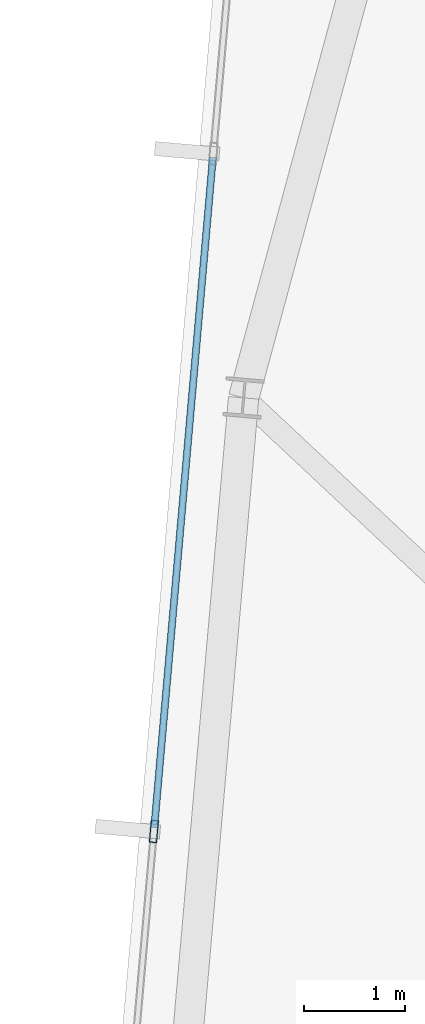
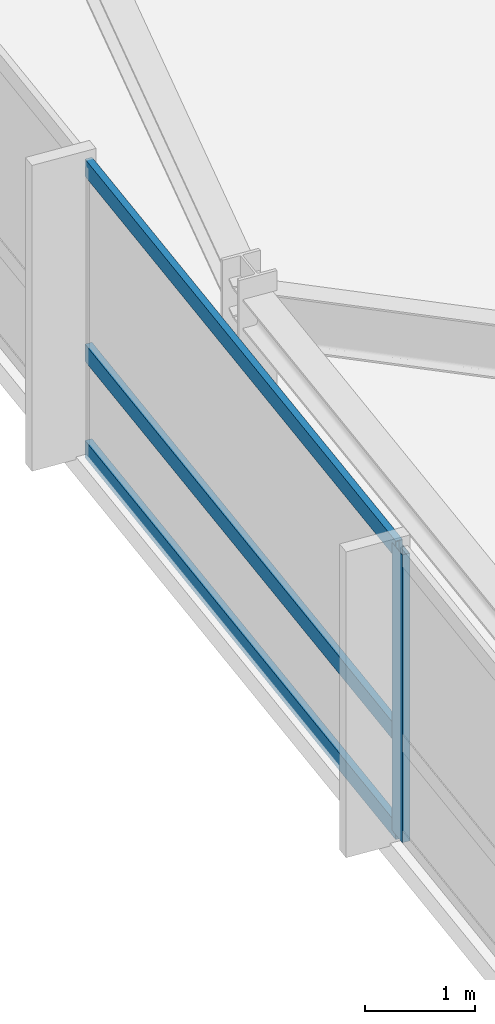
# One storey, part 6 of 24: 4 members, 1 element without a shape of its own.
"""IFC4 building model written with IfcOpenShell, lengths in metres."""

from ifc_helpers import new_model, si_unit, direction, frame, origin, origin_2d, place, context, subcontext, project, spatial, hollow_rectangle, extrude, material, material_profile, profile_set, type_object, element, aggregate, save


model = new_model("IFC4")

# Units and contexts
model_context = context("Model", 3, precision=1e-05, world=origin(), true_north=direction((0.0, 1.0)))
body_context = subcontext(model_context, "Body", "Model", "MODEL_VIEW")
ifc_project = project(units=[si_unit("LENGTHUNIT", "METRE"), si_unit("AREAUNIT", "SQUARE_METRE"), si_unit("VOLUMEUNIT", "CUBIC_METRE"), si_unit("PLANEANGLEUNIT", "RADIAN"), si_unit("MASSUNIT", "GRAM", prefix="KILO")], contexts=[model_context])

# Site, building, storey
site_placement = place(None, origin())
site = spatial("IfcSite", under=ifc_project, at=site_placement, CompositionType="ELEMENT")
building_placement = place(site_placement, origin())
building = spatial("IfcBuilding", under=site, at=building_placement, Name="Yelkora Congress Tower", CompositionType="ELEMENT")
storey_placement = place(building_placement, frame((0.0, 0.0, 296.5)))
storey = spatial("IfcBuildingStorey", under=building, at=storey_placement, Name="L83", CompositionType="ELEMENT", Elevation=296.5)

# Curtain wall, members
ifc_material_1 = material(Name="Anodised aluminium and insulated glass", Category="aluminium")
curtain_wall_type = type_object("IfcCurtainWallType", Name="CW-SYS-SKY", PredefinedType="NOTDEFINED", material=ifc_material_1)
curtain_wall_placement = place(storey_placement, origin())
curtain_wall = element("IfcCurtainWall", 1, at=curtain_wall_placement, inside=storey, type_object=curtain_wall_type, Name="L83 Unitised Curtain Wall 5", PredefinedType="NOTDEFINED")
ifc_material_2 = material(Name="Anodised aluminium 6063-T6", Category="aluminium")
ifc_material_profile_1 = material_profile(ifc_material_2, hollow_rectangle(XDim=0.074951171875, YDim=0.219970703125, WallThickness=0.0048828125, at=origin_2d()), Name="ALU 75x220x5")
ifc_profile_set_1 = profile_set([ifc_material_profile_1], Name="Anodised aluminium 6063-T6")
member_type_1 = type_object("IfcMemberType", Name="MEM-ML-SKY", PredefinedType="MULLION", material=ifc_profile_set_1)
member_1_placement = place(storey_placement, frame((6.900146484375, 35.200927734375, 0.0), z_axis=(0.0, 0.0, 1.0), x_axis=(-0.996194785929, 0.08715473876, 0.0)))
member_1 = element("IfcMember", 2, at=member_1_placement, type_object=member_type_1, Name="CW-SKY mullion 3", PredefinedType="MULLION", context=body_context, shape_type="SweptSolid", body=[
    extrude(hollow_rectangle(XDim=0.074951171875, YDim=0.219970703125, WallThickness=0.0048828125, at=origin_2d()), origin(), (0.0, 0.0, 1.0), 3.179931640625),
])
ifc_material_profile_2 = material_profile(ifc_material_2, hollow_rectangle(XDim=0.070068359375, YDim=0.18994140625, WallThickness=0.00390625, at=origin_2d()), Name="ALU 70x190x4")
ifc_profile_set_2 = profile_set([ifc_material_profile_2], Name="Anodised aluminium 6063-T6")
member_type_2 = type_object("IfcMemberType", Name="MEM-TR-SKY", PredefinedType="USERDEFINED", material=ifc_profile_set_2)
member_2_placement = place(storey_placement, frame((6.903564453125, 35.23828125, 0.034912109375), z_axis=(0.087128267941, 0.996197101444, 0.0), x_axis=(-0.996197101444, 0.087128267941, 0.0)))
member_2 = element("IfcMember", 3, at=member_2_placement, type_object=member_type_2, Name="CW-SKY transom 3.1", ObjectType="TRANSOM", PredefinedType="USERDEFINED", context=body_context, shape_type="SweptSolid", body=[
    extrude(hollow_rectangle(XDim=0.070068359375, YDim=0.18994140625, WallThickness=0.00390625, at=origin_2d()), origin(), (0.0, 0.0, 1.0), 6.655029296875),
])
member_3_placement = place(storey_placement, frame((6.903564453125, 35.23828125, 1.10009765625), z_axis=(0.087128267941, 0.996197101444, 0.0), x_axis=(-0.996197101444, 0.087128267941, 0.0)))
member_3 = element("IfcMember", 4, at=member_3_placement, type_object=member_type_2, Name="CW-SKY transom 3.2", ObjectType="TRANSOM", PredefinedType="USERDEFINED", context=body_context, shape_type="SweptSolid", body=[
    extrude(hollow_rectangle(XDim=0.070068359375, YDim=0.18994140625, WallThickness=0.00390625, at=origin_2d()), origin(), (0.0, 0.0, 1.0), 6.655029296875),
])
member_4_placement = place(storey_placement, frame((6.903564453125, 35.23828125, 3.14501953125), z_axis=(0.087128267941, 0.996197101444, 0.0), x_axis=(-0.996197101444, 0.087128267941, 0.0)))
member_4 = element("IfcMember", 5, at=member_4_placement, type_object=member_type_2, Name="CW-SKY transom 3.3", ObjectType="TRANSOM", PredefinedType="USERDEFINED", context=body_context, shape_type="SweptSolid", body=[
    extrude(hollow_rectangle(XDim=0.070068359375, YDim=0.18994140625, WallThickness=0.00390625, at=origin_2d()), origin(), (0.0, 0.0, 1.0), 6.655029296875),
])
aggregate(curtain_wall, [member_1, member_2, member_3, member_4])

save(model, "model.ifc")
